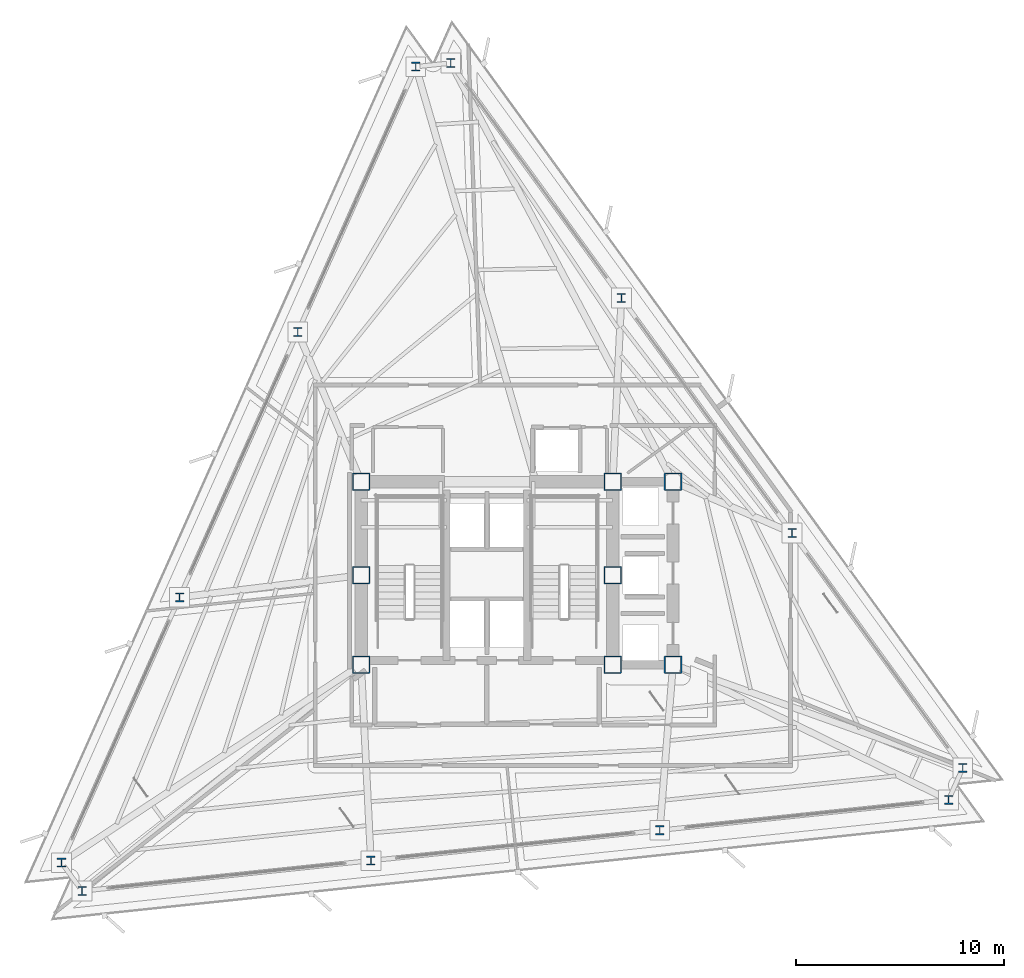
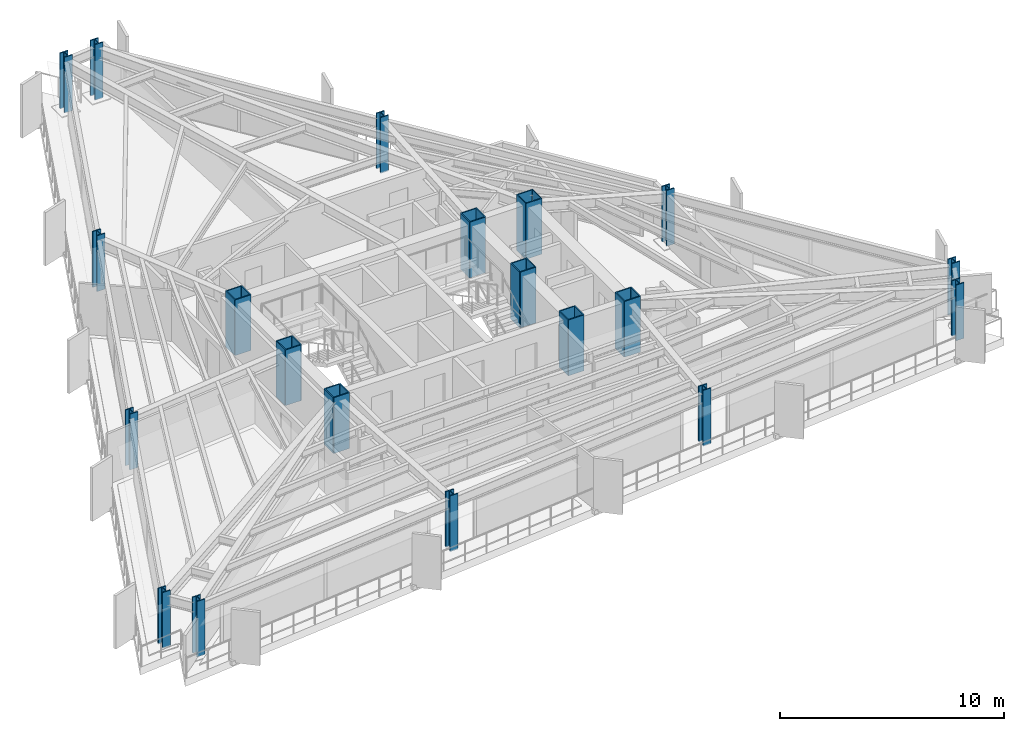
# One storey, part 1 of 12: 20 columns.
"""IFC4 building model written with IfcOpenShell, lengths in metres."""

from ifc_helpers import new_model, si_unit, direction, frame, origin, origin_2d, place, context, subcontext, project, spatial, hollow_rectangle, i_section, extrude, material, material_profile, profile_set, type_object, element, save


model = new_model("IFC4")

# Units and contexts
model_context = context("Model", 3, precision=1e-05, world=origin(), true_north=direction((0.0, 1.0)))
body_context = subcontext(model_context, "Body", "Model", "MODEL_VIEW")
ifc_project = project(units=[si_unit("LENGTHUNIT", "METRE"), si_unit("AREAUNIT", "SQUARE_METRE"), si_unit("VOLUMEUNIT", "CUBIC_METRE"), si_unit("PLANEANGLEUNIT", "RADIAN"), si_unit("MASSUNIT", "GRAM", prefix="KILO")], contexts=[model_context])

# Site, building, storey
site_placement = place(None, origin())
site = spatial("IfcSite", under=ifc_project, at=site_placement, CompositionType="ELEMENT")
building_placement = place(site_placement, origin())
building = spatial("IfcBuilding", under=site, at=building_placement, Name="Rocaltana Carrier Exchange", CompositionType="ELEMENT")
storey_placement = place(building_placement, frame((0.0, 0.0, 104.639892578125)))
storey = spatial("IfcBuildingStorey", under=building, at=storey_placement, Name="L32", CompositionType="ELEMENT", Elevation=104.639892578125)

# Columns
ifc_material_1 = material(Name="Steel S460", Category="steel")
ifc_material_profile_1 = material_profile(ifc_material_1, hollow_rectangle(XDim=0.85009765625, YDim=0.85009765625, WallThickness=0.054931640625, InnerFilletRadius=0.02001953125, OuterFilletRadius=0.0400390625, at=origin_2d()), Name="BOX850X850X55")
ifc_profile_set_1 = profile_set([ifc_material_profile_1], Name="Steel S460")
column_type_1 = type_object("IfcColumnType", Name="Core Mega-Column BOX850", PredefinedType="COLUMN", material=ifc_profile_set_1)
for number, where, z_axis, x_axis, name in (
    (1, (-6.050048828125, 4.5, 0.0), (0.0, 0.0, 1.0), (1.0, 0.0, 0.0), "L32 Core Mega-Column MC1"),
    (2, (6.050048828125, 4.5, 0.0), (0.0, 0.0, 1.0), (1.0, 0.0, 0.0), "L32 Core Mega-Column MC2"),
    (3, (-6.050048828125, 0.0, 0.0), (0.0, 0.0, 1.0), (1.0, 0.0, 0.0), "L32 Core Mega-Column MC3"),
    (4, (6.050048828125, 0.0, 0.0), (0.0, 0.0, 1.0), (1.0, 0.0, 0.0), "L32 Core Mega-Column MC4"),
    (5, (-6.050048828125, -4.300048828125, 0.0), (0.0, 0.0, 1.0), (1.0, 0.0, 0.0), "L32 Core Mega-Column MC5"),
    (6, (6.050048828125, -4.300048828125, 0.0), (0.0, 0.0, 1.0), (1.0, 0.0, 0.0), "L32 Core Mega-Column MC6"),
    (7, (8.949951171875, 4.5, 0.0), (0.0, 0.0, 1.0), (1.0, 0.0, 0.0), "L32 East Core Column EC1"),
    (8, (8.949951171875, -4.300048828125, 0.0), (0.0, 0.0, 1.0), (1.0, 0.0, 0.0), "L32 East Core Column EC2"),
):
    element("IfcColumn", number, at=place(storey_placement, frame(where, z_axis=z_axis, x_axis=x_axis)), inside=storey, type_object=column_type_1, Name=name, PredefinedType="COLUMN", context=body_context, shape_type="SweptSolid", body=[
        extrude(hollow_rectangle(XDim=0.85009765625, YDim=0.85009765625, WallThickness=0.054931640625, InnerFilletRadius=0.02001953125, OuterFilletRadius=0.0400390625, at=origin_2d()), origin(), (0.0, 0.0, 1.0), 3.0400390625),
    ])
ifc_material_2 = material(Name="Steel S460", Category="steel")
ifc_material_profile_2 = material_profile(ifc_material_2, i_section(OverallWidth=0.412109375, OverallDepth=0.43505859375, WebThickness=0.035888671875, FlangeThickness=0.057373046875, FilletRadius=0.02197265625, at=origin_2d()), Name="W14X311")
ifc_profile_set_2 = profile_set([ifc_material_profile_2], Name="Steel S460")
column_type_2 = type_object("IfcColumnType", Name="Perimeter Column W14X311", PredefinedType="COLUMN", material=ifc_profile_set_2)
for number, where, z_axis, x_axis, name in (
    (9, (22.88671875, -9.267578125, 0.0), (0.0, 0.0, 1.0), (1.0, 0.0, 0.0), "L32 Perimeter Column TC01"),
    (10, (14.67724609375, 2.03173828125, 0.0), (0.0, 0.0, 1.0), (1.0, 0.0, 0.0), "L32 Perimeter Column TC02"),
    (11, (6.4677734375, 13.3310546875, 0.0), (0.0, 0.0, 1.0), (1.0, 0.0, 0.0), "L32 Perimeter Column TC03"),
    (12, (-1.74169921875, 24.63037109375, 0.0), (0.0, 0.0, 1.0), (1.0, 0.0, 0.0), "L32 Perimeter Column TC04"),
    (13, (-3.417236328125, 24.4541015625, 0.0), (0.0, 0.0, 1.0), (1.0, 0.0, 0.0), "L32 Perimeter Column TC05"),
    (14, (-9.09814453125, 11.69482421875, 0.0), (0.0, 0.0, 1.0), (1.0, 0.0, 0.0), "L32 Perimeter Column TC06"),
    (15, (-14.77880859375, -1.064208984375, 0.0), (0.0, 0.0, 1.0), (1.0, 0.0, 0.0), "L32 Perimeter Column TC07"),
    (16, (-20.459716796875, -13.823486328125, 0.0), (0.0, 0.0, 1.0), (1.0, 0.0, 0.0), "L32 Perimeter Column TC08"),
    (17, (-19.46923828125, -15.1865234375, 0.0), (0.0, 0.0, 1.0), (1.0, 0.0, 0.0), "L32 Perimeter Column TC09"),
    (18, (-5.5791015625, -13.726806640625, 0.0), (0.0, 0.0, 1.0), (1.0, 0.0, 0.0), "L32 Perimeter Column TC10"),
    (19, (8.31103515625, -12.2666015625, 0.0), (0.0, 0.0, 1.0), (1.0, 0.0, 0.0), "L32 Perimeter Column TC11"),
    (20, (22.201171875, -10.806884765625, 0.0), (0.0, 0.0, 1.0), (1.0, 0.0, 0.0), "L32 Perimeter Column TC12"),
):
    element("IfcColumn", number, at=place(storey_placement, frame(where, z_axis=z_axis, x_axis=x_axis)), inside=storey, type_object=column_type_2, Name=name, PredefinedType="COLUMN", context=body_context, shape_type="SweptSolid", body=[
        extrude(i_section(OverallWidth=0.412109375, OverallDepth=0.43505859375, WebThickness=0.035888671875, FlangeThickness=0.057373046875, FilletRadius=0.02197265625, at=origin_2d()), origin(), (0.0, 0.0, 1.0), 3.0400390625),
    ])

save(model, "model.ifc")
